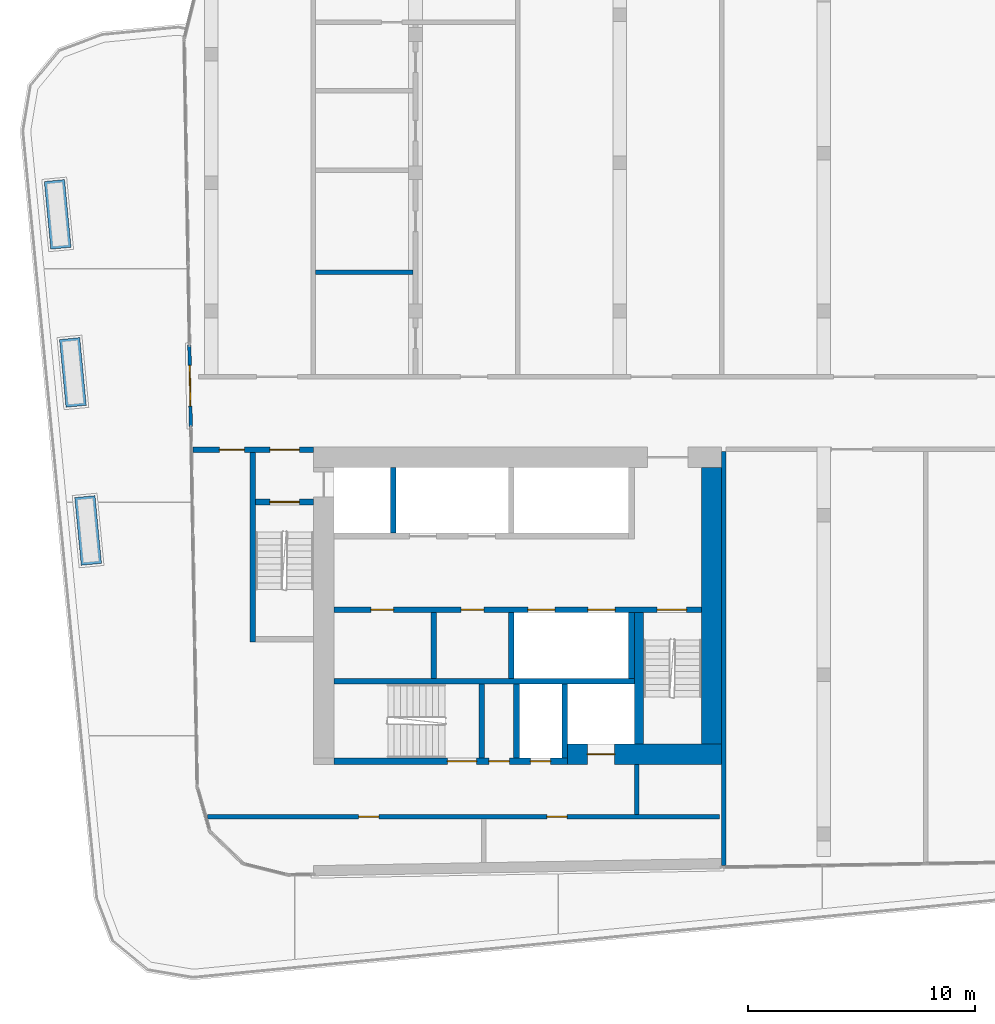
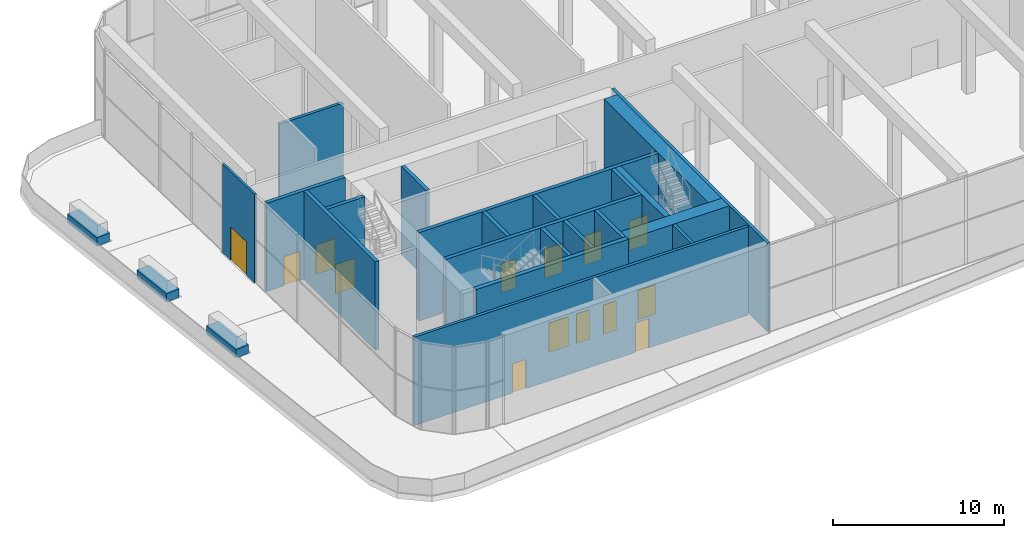
# One storey, part 12 of 24: 24 walls, 15 doors, 15 openings.
"""IFC4 building model written with IfcOpenShell, lengths in metres."""

from ifc_helpers import new_model, si_unit, direction, frame, frame_2d, origin, place, context, subcontext, project, spatial, rectangle, extrude, material, layer, layer_set, type_object, element, fill, save


model = new_model("IFC4")

# Units and contexts
model_context = context("Model", 3, precision=1e-05, world=origin(), true_north=direction((0.0, 1.0)))
body_context = subcontext(model_context, "Body", "Model", "MODEL_VIEW")
ifc_project = project(units=[si_unit("LENGTHUNIT", "METRE"), si_unit("AREAUNIT", "SQUARE_METRE"), si_unit("VOLUMEUNIT", "CUBIC_METRE"), si_unit("PLANEANGLEUNIT", "RADIAN"), si_unit("MASSUNIT", "GRAM", prefix="KILO")], contexts=[model_context])

# Site, building, storey
site_placement = place(None, origin())
site = spatial("IfcSite", under=ifc_project, at=site_placement, CompositionType="ELEMENT")
building_placement = place(site_placement, origin())
building = spatial("IfcBuilding", under=site, at=building_placement, Name="Kajstack Hotel Tower", CompositionType="ELEMENT")
storey_placement = place(building_placement, frame((0.0, 0.0, 211.10009765625)))
storey = spatial("IfcBuildingStorey", under=building, at=storey_placement, Name="L51", CompositionType="ELEMENT", Elevation=211.10009765625)

# Wall, opening, door
ifc_material_1 = material(Name="Concrete C60/75", Category="concrete")
ifc_layer_1 = layer(ifc_material_1, 0.89990234375)
ifc_layer_set_1 = layer_set([ifc_layer_1], Name="Core wall 900")
wall_type_1 = type_object("IfcWallType", Name="Core wall 900", PredefinedType="SHEAR", material=ifc_layer_set_1)
wall_1_placement = place(storey_placement, frame((-20.300048828125, -15.050048828125, 0.0), z_axis=(0.0, 0.0, 1.0), x_axis=(1.0, 0.0, 0.0)))
wall_1 = element("IfcWall", 1, at=wall_1_placement, inside=storey, type_object=wall_type_1, Name="Core wall W RS", PredefinedType="SHEAR", context=body_context, shape_type="SweptSolid", body=[
    extrude(rectangle(XDim=6.800048828125, YDim=0.89990234375, at=frame_2d((3.39990234375, 0.0))), origin(), (0.0, 0.0, 1.0), 6.31982421875),
])
opening_1_placement = place(wall_1_placement, frame((0.875, 0.0, 0.0)))
opening_1 = element("IfcOpeningElement", 2, at=opening_1_placement, cuts=wall_1, Name="Opening LD-SV1", PredefinedType="OPENING", context=body_context, shape_type="SweptSolid", body=[
    extrude(rectangle(XDim=1.199951171875, YDim=2.10009765625, at=frame_2d((0.60009765625, 1.050048828125))), frame((0.0, 0.4599609375, 0.0), z_axis=(0.0, -1.0, 0.0), x_axis=(1.0, 0.0, 0.0)), (0.0, 0.0, 1.0), 0.919921875),
])
ifc_material_2 = material(Name="Stainless steel", Category="steel")
door_type_1 = type_object("IfcDoorType", Name="Lift landing door 1200", OperationType="SLIDING_TO_LEFT", PredefinedType="DOOR", material=ifc_material_2)
door_1_placement = place(opening_1_placement, origin())
door_1 = element("IfcDoor", 3, at=door_1_placement, inside=storey, type_object=door_type_1, Name="Landing door SV1", OperationType="SLIDING_TO_LEFT", OverallHeight=2.10009765625, OverallWidth=1.199951171875, PredefinedType="DOOR", context=body_context, shape_type="SweptSolid", body=[
    extrude(rectangle(XDim=1.199951171875, YDim=2.10009765625, at=frame_2d((0.60009765625, 1.050048828125))), frame((0.0, 0.02490234375, 0.0), z_axis=(0.0, -1.0, 0.0), x_axis=(1.0, 0.0, 0.0)), (0.0, 0.0, 1.0), 0.050048828125),
])
fill(opening_1, door_1)

# Wall
wall_2_placement = place(storey_placement, frame((-13.949951171875, -14.60009765625, 0.0), z_axis=(0.0, 0.0, 1.0), x_axis=(0.0, 1.0, 0.0)))
element("IfcWall", 4, at=wall_2_placement, inside=storey, type_object=wall_type_1, Name="Core wall W RE", PredefinedType="SHEAR", context=body_context, shape_type="SweptSolid", body=[
    extrude(rectangle(XDim=12.2001953125, YDim=0.89990234375, at=frame_2d((6.10009765625, 0.0))), origin(), (0.0, 0.0, 1.0), 6.31982421875),
])

# Wall, opening, door
ifc_material_3 = material(Name="Aluminium", Category="aluminium")
ifc_layer_2 = layer(ifc_material_3, 0.14990234375)
ifc_layer_set_2 = layer_set([ifc_layer_2], Name="EW-FRAME")
wall_type_2 = type_object("IfcWallType", Name="EW-FRAME", PredefinedType="SOLIDWALL", material=ifc_layer_set_2)
wall_3_placement = place(storey_placement, frame((-36.97119140625, 3.0009765625, 0.0), z_axis=(0.0, 0.0, 1.0), x_axis=(0.017429353659, -0.999848097278, 0.0)))
wall_3 = element("IfcWall", 5, at=wall_3_placement, inside=storey, type_object=wall_type_2, Name="E-wall-L51-00-01", PredefinedType="SOLIDWALL", context=body_context, shape_type="SweptSolid", body=[
    extrude(rectangle(XDim=3.599853515625, YDim=0.14990234375, at=frame_2d((1.7998046875, 0.0))), origin(), (0.0, 0.0, 1.0), 6.31982421875),
])
opening_2_placement = place(wall_3_placement, frame((0.89990234375, 0.0, 0.0)))
opening_2 = element("IfcOpeningElement", 6, at=opening_2_placement, cuts=wall_3, Name="Opening TD1", PredefinedType="OPENING", context=body_context, shape_type="SweptSolid", body=[
    extrude(rectangle(XDim=1.800048828125, YDim=2.39990234375, at=frame_2d((0.89990234375, 1.199951171875))), frame((0.0, 0.0849609375, 0.0), z_axis=(0.0, -1.0, 0.0), x_axis=(1.0, 0.0, 0.0)), (0.0, 0.0, 1.0), 0.169921875),
])
ifc_material_4 = material(Name="Timber-aluminium door", Category="wood")
door_type_2 = type_object("IfcDoorType", Name="DOOR-TERRACE", OperationType="DOUBLE_DOOR_SINGLE_SWING", PredefinedType="DOOR", material=ifc_material_4)
door_2_placement = place(opening_2_placement, origin())
door_2 = element("IfcDoor", 7, at=door_2_placement, inside=storey, type_object=door_type_2, Name="Terrace door L51-00", OperationType="SINGLE_SWING_LEFT", OverallHeight=2.39990234375, OverallWidth=1.800048828125, PredefinedType="DOOR", context=body_context, shape_type="SweptSolid", body=[
    extrude(rectangle(XDim=1.800048828125, YDim=2.39990234375, at=frame_2d((0.89990234375, 1.199951171875))), frame((0.0, 0.02490234375, 0.0), z_axis=(0.0, -1.0, 0.0), x_axis=(1.0, 0.0, 0.0)), (0.0, 0.0, 1.0), 0.050048828125),
])
fill(opening_2, door_2)

# Walls
ifc_material_5 = material(Name="Concrete C50/60", Category="concrete")
ifc_layer_3 = layer(ifc_material_5, 0.300048828125)
ifc_layer_set_3 = layer_set([ifc_layer_3], Name="Hoistway divider wall 300")
wall_type_3 = type_object("IfcWallType", Name="Hoistway divider wall 300", PredefinedType="SHEAR", material=ifc_layer_set_3)
wall_4_placement = place(storey_placement, frame((-22.77490234375, -11.699951171875, 0.0), z_axis=(0.0, 0.0, 1.0), x_axis=(0.0, 1.0, 0.0)))
element("IfcWall", 8, at=wall_4_placement, inside=storey, type_object=wall_type_3, Name="Core wall W BP2", PredefinedType="SHEAR", context=body_context, shape_type="SweptSolid", body=[
    extrude(rectangle(XDim=2.89990234375, YDim=0.25, at=frame_2d((1.449951171875, 0.0))), origin(), (0.0, 0.0, 1.0), 6.31982421875),
])
ifc_material_6 = material(Name="Concrete C30/37", Category="concrete")
ifc_layer_4 = layer(ifc_material_6, 0.89990234375)
ifc_layer_set_4 = layer_set([ifc_layer_4], Name="PLANTER-WALL")
wall_type_4 = type_object("IfcWallType", Name="PLANTER-WALL", PredefinedType="SOLIDWALL", material=ifc_layer_set_4)
for number, where, z_axis, x_axis, name in (
    (9, (-41.291748046875, -6.671142578125, 0.0), (0.0, 0.0, 1.0), (-0.095861262448, 0.995394704809, 0.0), "PLANTER L51-01-01"),
    (10, (-41.962646484375, 0.296630859375, 0.0), (0.0, 0.0, 1.0), (-0.095861262448, 0.995394704809, 0.0), "PLANTER L51-01-02"),
    (11, (-42.633544921875, 7.264404296875, 0.0), (0.0, 0.0, 1.0), (-0.095861262448, 0.995394704809, 0.0), "PLANTER L51-01-03"),
):
    element("IfcWall", number, at=place(storey_placement, frame(where, z_axis=z_axis, x_axis=x_axis)), inside=storey, type_object=wall_type_4, Name=name, PredefinedType="SOLIDWALL", context=body_context, shape_type="SweptSolid", body=[
        extrude(rectangle(XDim=3.000244140625, YDim=0.89990234375, at=frame_2d((1.5, 0.0))), origin(), (0.0, 0.0, 1.0), 0.599853515625),
    ])
ifc_material_7 = material(Name="Gypsum board on steel studs, mineral wool", Category="steel")
ifc_layer_5 = layer(ifc_material_7, 0.199951171875)
ifc_layer_set_5 = layer_set([ifc_layer_5], Name="Public partition 200")
wall_type_5 = type_object("IfcWallType", Name="Public partition 200", PredefinedType="PARTITIONING", material=ifc_layer_set_5)
wall_5_placement = place(storey_placement, frame((-31.39990234375, 6.199951171875, 0.0), z_axis=(0.0, 0.0, 1.0), x_axis=(1.0, 0.0, 0.0)))
element("IfcWall", 12, at=wall_5_placement, inside=storey, type_object=wall_type_5, Name="Partition C3wP0", PredefinedType="PARTITIONING", context=body_context, shape_type="SweptSolid", body=[
    extrude(rectangle(XDim=4.2998046875, YDim=0.199951171875, at=frame_2d((2.14990234375, 0.0))), origin(), (0.0, 0.0, 1.0), 5.31982421875),
])
wall_6_placement = place(storey_placement, frame((-13.39990234375, -19.939453125, 0.0), z_axis=(0.0, 0.0, 1.0), x_axis=(0.0, 1.0, 0.0)))
element("IfcWall", 13, at=wall_6_placement, inside=storey, type_object=wall_type_5, Name="Partition SEW", PredefinedType="PARTITIONING", context=body_context, shape_type="SweptSolid", body=[
    extrude(rectangle(XDim=18.239501953125, YDim=0.199951171875, at=frame_2d((9.11962890625, 0.0))), origin(), (0.0, 0.0, 1.0), 6.31982421875),
])
ifc_material_8 = material(Name="Concrete block masonry", Category="masonry")
ifc_layer_6 = layer(ifc_material_8, 0.25)
ifc_layer_set_6 = layer_set([ifc_layer_6], Name="Riser partition 250")
wall_type_6 = type_object("IfcWallType", Name="Riser partition 250", PredefinedType="PARTITIONING", material=ifc_layer_set_6)
wall_7_placement = place(storey_placement, frame((-26.199951171875, -11.699951171875, 0.0), z_axis=(0.0, 0.0, 1.0), x_axis=(0.0, 1.0, 0.0)))
element("IfcWall", 14, at=wall_7_placement, inside=storey, type_object=wall_type_6, Name="Partition W BF0", PredefinedType="PARTITIONING", context=body_context, shape_type="SweptSolid", body=[
    extrude(rectangle(XDim=2.89990234375, YDim=0.25, at=frame_2d((1.449951171875, 0.0))), origin(), (0.0, 0.0, 1.0), 6.31982421875),
])
wall_8_placement = place(storey_placement, frame((-22.550048828125, -15.199951171875, 0.0), z_axis=(0.0, 0.0, 1.0), x_axis=(0.0, 1.0, 0.0)))
element("IfcWall", 15, at=wall_8_placement, inside=storey, type_object=wall_type_6, Name="Partition W SZ0", PredefinedType="PARTITIONING", context=body_context, shape_type="SweptSolid", body=[
    extrude(rectangle(XDim=3.25, YDim=0.25, at=frame_2d((1.625, 0.0))), origin(), (0.0, 0.0, 1.0), 6.31982421875),
])

# Wall, openings, doors
ifc_layer_7 = layer(ifc_material_7, 0.199951171875)
ifc_layer_set_7 = layer_set([ifc_layer_7], Name="Service partition 200")
wall_type_7 = type_object("IfcWallType", Name="Service partition 200", PredefinedType="PARTITIONING", material=ifc_layer_set_7)
wall_9_placement = place(storey_placement, frame((-36.8154296875, -1.625, 0.0), z_axis=(0.0, 0.0, 1.0), x_axis=(1.0, 0.0, 0.0)))
wall_9 = element("IfcWall", 16, at=wall_9_placement, inside=storey, type_object=wall_type_7, Name="Partition W SN", PredefinedType="PARTITIONING", context=body_context, shape_type="SweptSolid", body=[
    extrude(rectangle(XDim=5.3154296875, YDim=0.25, at=frame_2d((2.65771484375, 0.0))), origin(), (0.0, 0.0, 1.0), 6.31982421875),
])
opening_3_placement = place(wall_9_placement, frame((3.390380859375, 0.0, 0.0)))
opening_3 = element("IfcOpeningElement", 17, at=opening_3_placement, cuts=wall_9, Name="Opening 51W08", PredefinedType="OPENING", context=body_context, shape_type="SweptSolid", body=[
    extrude(rectangle(XDim=1.300048828125, YDim=2.10009765625, at=frame_2d((0.64990234375, 1.050048828125))), frame((0.0, 0.135009765625, 0.0), z_axis=(0.0, -1.0, 0.0), x_axis=(1.0, 0.0, 0.0)), (0.0, 0.0, 1.0), 0.27001953125),
])
opening_4_placement = place(wall_9_placement, frame((1.16552734375, 0.0, 0.0)))
opening_4 = element("IfcOpeningElement", 18, at=opening_4_placement, cuts=wall_9, Name="Opening 51W10", PredefinedType="OPENING", context=body_context, shape_type="SweptSolid", body=[
    extrude(rectangle(XDim=1.10009765625, YDim=2.10009765625, at=frame_2d((0.550048828125, 1.050048828125))), frame((0.0, 0.135009765625, 0.0), z_axis=(0.0, -1.0, 0.0), x_axis=(1.0, 0.0, 0.0)), (0.0, 0.0, 1.0), 0.27001953125),
])
ifc_material_9 = material(Name="Steel leaf, fire-rated", Category="steel")
door_type_3 = type_object("IfcDoorType", Name="Fire lobby door 1300", OperationType="SINGLE_SWING_LEFT", PredefinedType="DOOR", material=ifc_material_9)
door_3_placement = place(opening_3_placement, origin())
door_3 = element("IfcDoor", 19, at=door_3_placement, inside=storey, type_object=door_type_3, Name="Door 51W08", OperationType="SINGLE_SWING_RIGHT", OverallHeight=2.10009765625, OverallWidth=1.300048828125, PredefinedType="DOOR", context=body_context, shape_type="SweptSolid", body=[
    extrude(rectangle(XDim=1.300048828125, YDim=2.10009765625, at=frame_2d((0.64990234375, 1.050048828125))), frame((0.0, 0.02490234375, 0.0), z_axis=(0.0, -1.0, 0.0), x_axis=(1.0, 0.0, 0.0)), (0.0, 0.0, 1.0), 0.050048828125),
])
fill(opening_3, door_3)
ifc_material_10 = material(Name="Timber leaf, fire-rated", Category="wood")
door_type_4 = type_object("IfcDoorType", Name="Service corridor door 1100", OperationType="SINGLE_SWING_LEFT", PredefinedType="DOOR", material=ifc_material_10)
door_4_placement = place(opening_4_placement, origin())
door_4 = element("IfcDoor", 20, at=door_4_placement, inside=storey, type_object=door_type_4, Name="Door 51W10", OperationType="SINGLE_SWING_RIGHT", OverallHeight=2.10009765625, OverallWidth=1.10009765625, PredefinedType="DOOR", context=body_context, shape_type="SweptSolid", body=[
    extrude(rectangle(XDim=1.10009765625, YDim=2.10009765625, at=frame_2d((0.550048828125, 1.050048828125))), frame((0.0, 0.02490234375, 0.0), z_axis=(0.0, -1.0, 0.0), x_axis=(1.0, 0.0, 0.0)), (0.0, 0.0, 1.0), 0.050048828125),
])
fill(opening_4, door_4)

# Wall
wall_10_placement = place(storey_placement, frame((-17.25, -17.699951171875, 0.0), z_axis=(0.0, 0.0, 1.0), x_axis=(0.0, 1.0, 0.0)))
element("IfcWall", 21, at=wall_10_placement, inside=storey, type_object=wall_type_7, Name="Partition W SCE", PredefinedType="PARTITIONING", context=body_context, shape_type="SweptSolid", body=[
    extrude(rectangle(XDim=2.199951171875, YDim=0.199951171875, at=frame_2d((1.10009765625, 0.0))), origin(), (0.0, 0.0, 1.0), 6.31982421875),
])

# Wall, openings, doors
wall_11_placement = place(storey_placement, frame((-36.17578125, -17.800048828125, 0.0), z_axis=(0.0, 0.0, 1.0), x_axis=(1.0, 0.0, 0.0)))
wall_11 = element("IfcWall", 22, at=wall_11_placement, inside=storey, type_object=wall_type_7, Name="Partition W SLN", PredefinedType="PARTITIONING", context=body_context, shape_type="SweptSolid", body=[
    extrude(rectangle(XDim=22.57568359375, YDim=0.199951171875, at=frame_2d((11.287841796875, 0.0))), origin(), (0.0, 0.0, 1.0), 6.31982421875),
])
opening_5_placement = place(wall_11_placement, frame((6.663330078125, 0.0, 0.0)))
opening_5 = element("IfcOpeningElement", 23, at=opening_5_placement, cuts=wall_11, Name="Opening 51W17", PredefinedType="OPENING", context=body_context, shape_type="SweptSolid", body=[
    extrude(rectangle(XDim=0.89990234375, YDim=2.10009765625, at=frame_2d((0.449951171875, 1.050048828125))), frame((0.0, 0.10986328125, 0.0), z_axis=(0.0, -1.0, 0.0), x_axis=(1.0, 0.0, 0.0)), (0.0, 0.0, 1.0), 0.219970703125),
])
opening_6_placement = place(wall_11_placement, frame((14.96337890625, 0.0, 0.0)))
opening_6 = element("IfcOpeningElement", 24, at=opening_6_placement, cuts=wall_11, Name="Opening 51W18", PredefinedType="OPENING", context=body_context, shape_type="SweptSolid", body=[
    extrude(rectangle(XDim=0.89990234375, YDim=2.10009765625, at=frame_2d((0.449951171875, 1.050048828125))), frame((0.0, 0.10986328125, 0.0), z_axis=(0.0, -1.0, 0.0), x_axis=(1.0, 0.0, 0.0)), (0.0, 0.0, 1.0), 0.219970703125),
])
door_type_5 = type_object("IfcDoorType", Name="Service door 900", OperationType="SINGLE_SWING_LEFT", PredefinedType="DOOR", material=ifc_material_10)
door_5_placement = place(opening_5_placement, origin())
door_5 = element("IfcDoor", 25, at=door_5_placement, inside=storey, type_object=door_type_5, Name="Door 51W17", OperationType="SINGLE_SWING_RIGHT", OverallHeight=2.10009765625, OverallWidth=0.89990234375, PredefinedType="DOOR", context=body_context, shape_type="SweptSolid", body=[
    extrude(rectangle(XDim=0.89990234375, YDim=2.10009765625, at=frame_2d((0.449951171875, 1.050048828125))), frame((0.0, 0.02490234375, 0.0), z_axis=(0.0, -1.0, 0.0), x_axis=(1.0, 0.0, 0.0)), (0.0, 0.0, 1.0), 0.050048828125),
])
fill(opening_5, door_5)
door_6_placement = place(opening_6_placement, origin())
door_6 = element("IfcDoor", 26, at=door_6_placement, inside=storey, type_object=door_type_5, Name="Door 51W18", OperationType="SINGLE_SWING_RIGHT", OverallHeight=2.10009765625, OverallWidth=0.89990234375, PredefinedType="DOOR", context=body_context, shape_type="SweptSolid", body=[
    extrude(rectangle(XDim=0.89990234375, YDim=2.10009765625, at=frame_2d((0.449951171875, 1.050048828125))), frame((0.0, 0.02490234375, 0.0), z_axis=(0.0, -1.0, 0.0), x_axis=(1.0, 0.0, 0.0)), (0.0, 0.0, 1.0), 0.050048828125),
])
fill(opening_6, door_6)

ifc_layer_8 = layer(ifc_material_5, 0.25)
ifc_layer_set_8 = layer_set([ifc_layer_8], Name="Shaft wall 250")
wall_type_8 = type_object("IfcWallType", Name="Shaft wall 250", PredefinedType="SHEAR", material=ifc_layer_set_8)
wall_12_placement = place(storey_placement, frame((-30.60009765625, -15.35009765625, 0.0), z_axis=(0.0, 0.0, 1.0), x_axis=(1.0, 0.0, 0.0)))
wall_12 = element("IfcWall", 27, at=wall_12_placement, inside=storey, type_object=wall_type_8, Name="Core wall W RSS", PredefinedType="SHEAR", context=body_context, shape_type="SweptSolid", body=[
    extrude(rectangle(XDim=10.300048828125, YDim=0.300048828125, at=frame_2d((5.14990234375, 0.0))), origin(), (0.0, 0.0, 1.0), 6.31982421875),
])
opening_7_placement = place(wall_12_placement, frame((5.0, 0.0, 0.0)))
opening_7 = element("IfcOpeningElement", 28, at=opening_7_placement, cuts=wall_12, Name="Opening 51W12", PredefinedType="OPENING", context=body_context, shape_type="SweptSolid", body=[
    extrude(rectangle(XDim=1.300048828125, YDim=2.10009765625, at=frame_2d((0.64990234375, 1.050048828125))), frame((0.0, 0.159912109375, 0.0), z_axis=(0.0, -1.0, 0.0), x_axis=(1.0, 0.0, 0.0)), (0.0, 0.0, 1.0), 0.320068359375),
])
opening_8_placement = place(wall_12_placement, frame((6.83740234375, 0.0, 0.0)))
opening_8 = element("IfcOpeningElement", 29, at=opening_8_placement, cuts=wall_12, Name="Opening 51W13", PredefinedType="OPENING", context=body_context, shape_type="SweptSolid", body=[
    extrude(rectangle(XDim=0.89990234375, YDim=2.10009765625, at=frame_2d((0.449951171875, 1.050048828125))), frame((0.0, 0.159912109375, 0.0), z_axis=(0.0, -1.0, 0.0), x_axis=(1.0, 0.0, 0.0)), (0.0, 0.0, 1.0), 0.320068359375),
])
opening_9_placement = place(wall_12_placement, frame((8.66259765625, 0.0, 0.0)))
opening_9 = element("IfcOpeningElement", 30, at=opening_9_placement, cuts=wall_12, Name="Opening 51W14", PredefinedType="OPENING", context=body_context, shape_type="SweptSolid", body=[
    extrude(rectangle(XDim=0.89990234375, YDim=2.10009765625, at=frame_2d((0.449951171875, 1.050048828125))), frame((0.0, 0.159912109375, 0.0), z_axis=(0.0, -1.0, 0.0), x_axis=(1.0, 0.0, 0.0)), (0.0, 0.0, 1.0), 0.320068359375),
])
door_type_6 = type_object("IfcDoorType", Name="Riser door 900", OperationType="SINGLE_SWING_LEFT", PredefinedType="DOOR", material=ifc_material_9)
door_7_placement = place(opening_9_placement, origin())
door_7 = element("IfcDoor", 31, at=door_7_placement, inside=storey, type_object=door_type_6, Name="Door 51W14", OperationType="SINGLE_SWING_LEFT", OverallHeight=2.10009765625, OverallWidth=0.89990234375, PredefinedType="DOOR", context=body_context, shape_type="SweptSolid", body=[
    extrude(rectangle(XDim=0.89990234375, YDim=2.10009765625, at=frame_2d((0.449951171875, 1.050048828125))), frame((0.0, 0.02490234375, 0.0), z_axis=(0.0, -1.0, 0.0), x_axis=(1.0, 0.0, 0.0)), (0.0, 0.0, 1.0), 0.050048828125),
])
fill(opening_9, door_7)
door_8_placement = place(opening_8_placement, origin())
door_8 = element("IfcDoor", 32, at=door_8_placement, inside=storey, type_object=door_type_5, Name="Door 51W13", OperationType="SINGLE_SWING_LEFT", OverallHeight=2.10009765625, OverallWidth=0.89990234375, PredefinedType="DOOR", context=body_context, shape_type="SweptSolid", body=[
    extrude(rectangle(XDim=0.89990234375, YDim=2.10009765625, at=frame_2d((0.449951171875, 1.050048828125))), frame((0.0, 0.02490234375, 0.0), z_axis=(0.0, -1.0, 0.0), x_axis=(1.0, 0.0, 0.0)), (0.0, 0.0, 1.0), 0.050048828125),
])
fill(opening_8, door_8)
door_type_7 = type_object("IfcDoorType", Name="Stair door 1300", OperationType="SINGLE_SWING_LEFT", PredefinedType="DOOR", material=ifc_material_9)
door_9_placement = place(opening_7_placement, origin())
door_9 = element("IfcDoor", 33, at=door_9_placement, inside=storey, type_object=door_type_7, Name="Door 51W12", OperationType="SINGLE_SWING_RIGHT", OverallHeight=2.10009765625, OverallWidth=1.300048828125, PredefinedType="DOOR", context=body_context, shape_type="SweptSolid", body=[
    extrude(rectangle(XDim=1.300048828125, YDim=2.10009765625, at=frame_2d((0.64990234375, 1.050048828125))), frame((0.0, 0.02490234375, 0.0), z_axis=(0.0, -1.0, 0.0), x_axis=(1.0, 0.0, 0.0)), (0.0, 0.0, 1.0), 0.050048828125),
])
fill(opening_7, door_9)

# Wall
wall_13_placement = place(storey_placement, frame((-27.97509765625, -5.300048828125, 0.0), z_axis=(0.0, 0.0, 1.0), x_axis=(0.0, 1.0, 0.0)))
element("IfcWall", 34, at=wall_13_placement, inside=storey, type_object=wall_type_8, Name="Core wall W AP0", PredefinedType="SHEAR", context=body_context, shape_type="SweptSolid", body=[
    extrude(rectangle(XDim=2.900146484375, YDim=0.25, at=frame_2d((1.4501953125, 0.0))), origin(), (0.0, 0.0, 1.0), 6.31982421875),
])

# Wall, openings, doors
wall_14_placement = place(storey_placement, frame((-30.60009765625, -8.675048828125, 0.0), z_axis=(0.0, 0.0, 1.0), x_axis=(1.0, 0.0, 0.0)))
wall_14 = element("IfcWall", 35, at=wall_14_placement, inside=storey, type_object=wall_type_8, Name="Core wall W FB", PredefinedType="SHEAR", context=body_context, shape_type="SweptSolid", body=[
    extrude(rectangle(XDim=16.2001953125, YDim=0.25, at=frame_2d((8.10009765625, 0.0))), origin(), (0.0, 0.0, 1.0), 6.31982421875),
])
opening_10_placement = place(wall_14_placement, frame((8.550048828125, 0.0, 0.0)))
opening_10 = element("IfcOpeningElement", 36, at=opening_10_placement, cuts=wall_14, Name="Opening LD-MR1", PredefinedType="OPENING", context=body_context, shape_type="SweptSolid", body=[
    extrude(rectangle(XDim=1.199951171875, YDim=2.10009765625, at=frame_2d((0.60009765625, 1.050048828125))), frame((0.0, 0.135009765625, 0.0), z_axis=(0.0, -1.0, 0.0), x_axis=(1.0, 0.0, 0.0)), (0.0, 0.0, 1.0), 0.27001953125),
])
opening_11_placement = place(wall_14_placement, frame((11.199951171875, 0.0, 0.0)))
opening_11 = element("IfcOpeningElement", 37, at=opening_11_placement, cuts=wall_14, Name="Opening LD-MR2", PredefinedType="OPENING", context=body_context, shape_type="SweptSolid", body=[
    extrude(rectangle(XDim=1.199951171875, YDim=2.10009765625, at=frame_2d((0.60009765625, 1.050048828125))), frame((0.0, 0.135009765625, 0.0), z_axis=(0.0, -1.0, 0.0), x_axis=(1.0, 0.0, 0.0)), (0.0, 0.0, 1.0), 0.27001953125),
])
opening_12_placement = place(wall_14_placement, frame((14.25, 0.0, 0.0)))
opening_12 = element("IfcOpeningElement", 38, at=opening_12_placement, cuts=wall_14, Name="Opening 51W11", PredefinedType="OPENING", context=body_context, shape_type="SweptSolid", body=[
    extrude(rectangle(XDim=1.300048828125, YDim=2.10009765625, at=frame_2d((0.64990234375, 1.050048828125))), frame((0.0, 0.135009765625, 0.0), z_axis=(0.0, -1.0, 0.0), x_axis=(1.0, 0.0, 0.0)), (0.0, 0.0, 1.0), 0.27001953125),
])
opening_13_placement = place(wall_14_placement, frame((1.637451171875, 0.0, 0.0)))
opening_13 = element("IfcOpeningElement", 39, at=opening_13_placement, cuts=wall_14, Name="Opening 51W15", PredefinedType="OPENING", context=body_context, shape_type="SweptSolid", body=[
    extrude(rectangle(XDim=1.0, YDim=2.10009765625, at=frame_2d((0.5, 1.050048828125))), frame((0.0, 0.135009765625, 0.0), z_axis=(0.0, -1.0, 0.0), x_axis=(1.0, 0.0, 0.0)), (0.0, 0.0, 1.0), 0.27001953125),
])
opening_14_placement = place(wall_14_placement, frame((5.612548828125, 0.0, 0.0)))
opening_14 = element("IfcOpeningElement", 40, at=opening_14_placement, cuts=wall_14, Name="Opening 51W16", PredefinedType="OPENING", context=body_context, shape_type="SweptSolid", body=[
    extrude(rectangle(XDim=1.0, YDim=2.10009765625, at=frame_2d((0.5, 1.050048828125))), frame((0.0, 0.135009765625, 0.0), z_axis=(0.0, -1.0, 0.0), x_axis=(1.0, 0.0, 0.0)), (0.0, 0.0, 1.0), 0.27001953125),
])
door_10_placement = place(opening_10_placement, origin())
door_10 = element("IfcDoor", 41, at=door_10_placement, inside=storey, type_object=door_type_1, Name="Landing door MR1", OperationType="SLIDING_TO_LEFT", OverallHeight=2.10009765625, OverallWidth=1.199951171875, PredefinedType="DOOR", context=body_context, shape_type="SweptSolid", body=[
    extrude(rectangle(XDim=1.199951171875, YDim=2.10009765625, at=frame_2d((0.60009765625, 1.050048828125))), frame((0.0, 0.02490234375, 0.0), z_axis=(0.0, -1.0, 0.0), x_axis=(1.0, 0.0, 0.0)), (0.0, 0.0, 1.0), 0.050048828125),
])
fill(opening_10, door_10)
door_11_placement = place(opening_11_placement, origin())
door_11 = element("IfcDoor", 42, at=door_11_placement, inside=storey, type_object=door_type_1, Name="Landing door MR2", OperationType="SLIDING_TO_RIGHT", OverallHeight=2.10009765625, OverallWidth=1.199951171875, PredefinedType="DOOR", context=body_context, shape_type="SweptSolid", body=[
    extrude(rectangle(XDim=1.199951171875, YDim=2.10009765625, at=frame_2d((0.60009765625, 1.050048828125))), frame((0.0, 0.02490234375, 0.0), z_axis=(0.0, -1.0, 0.0), x_axis=(1.0, 0.0, 0.0)), (0.0, 0.0, 1.0), 0.050048828125),
])
fill(opening_11, door_11)
door_type_8 = type_object("IfcDoorType", Name="Service room door 1000", OperationType="SINGLE_SWING_LEFT", PredefinedType="DOOR", material=ifc_material_10)
door_12_placement = place(opening_13_placement, origin())
door_12 = element("IfcDoor", 43, at=door_12_placement, inside=storey, type_object=door_type_8, Name="Door 51W15", OperationType="SINGLE_SWING_RIGHT", OverallHeight=2.10009765625, OverallWidth=1.0, PredefinedType="DOOR", context=body_context, shape_type="SweptSolid", body=[
    extrude(rectangle(XDim=1.0, YDim=2.10009765625, at=frame_2d((0.5, 1.050048828125))), frame((0.0, 0.02490234375, 0.0), z_axis=(0.0, -1.0, 0.0), x_axis=(1.0, 0.0, 0.0)), (0.0, 0.0, 1.0), 0.050048828125),
])
fill(opening_13, door_12)
door_13_placement = place(opening_14_placement, origin())
door_13 = element("IfcDoor", 44, at=door_13_placement, inside=storey, type_object=door_type_8, Name="Door 51W16", OperationType="SINGLE_SWING_RIGHT", OverallHeight=2.10009765625, OverallWidth=1.0, PredefinedType="DOOR", context=body_context, shape_type="SweptSolid", body=[
    extrude(rectangle(XDim=1.0, YDim=2.10009765625, at=frame_2d((0.5, 1.050048828125))), frame((0.0, 0.02490234375, 0.0), z_axis=(0.0, -1.0, 0.0), x_axis=(1.0, 0.0, 0.0)), (0.0, 0.0, 1.0), 0.050048828125),
])
fill(opening_14, door_13)
door_14_placement = place(opening_12_placement, origin())
door_14 = element("IfcDoor", 45, at=door_14_placement, inside=storey, type_object=door_type_7, Name="Door 51W11", OperationType="SINGLE_SWING_RIGHT", OverallHeight=2.10009765625, OverallWidth=1.300048828125, PredefinedType="DOOR", context=body_context, shape_type="SweptSolid", body=[
    extrude(rectangle(XDim=1.300048828125, YDim=2.10009765625, at=frame_2d((0.64990234375, 1.050048828125))), frame((0.0, 0.02490234375, 0.0), z_axis=(0.0, -1.0, 0.0), x_axis=(1.0, 0.0, 0.0)), (0.0, 0.0, 1.0), 0.050048828125),
])
fill(opening_12, door_14)

# Walls
wall_15_placement = place(storey_placement, frame((-30.60009765625, -11.824951171875, 0.0), z_axis=(0.0, 0.0, 1.0), x_axis=(1.0, 0.0, 0.0)))
element("IfcWall", 46, at=wall_15_placement, inside=storey, type_object=wall_type_8, Name="Core wall W RB", PredefinedType="SHEAR", context=body_context, shape_type="SweptSolid", body=[
    extrude(rectangle(XDim=13.25, YDim=0.25, at=frame_2d((6.625, 0.0))), origin(), (0.0, 0.0, 1.0), 6.31982421875),
])
wall_16_placement = place(storey_placement, frame((-17.47509765625, -11.699951171875, 0.0), z_axis=(0.0, 0.0, 1.0), x_axis=(0.0, 1.0, 0.0)))
element("IfcWall", 47, at=wall_16_placement, inside=storey, type_object=wall_type_8, Name="Core wall W BE", PredefinedType="SHEAR", context=body_context, shape_type="SweptSolid", body=[
    extrude(rectangle(XDim=2.89990234375, YDim=0.25, at=frame_2d((1.449951171875, 0.0))), origin(), (0.0, 0.0, 1.0), 6.31982421875),
])
wall_17_placement = place(storey_placement, frame((-20.425048828125, -15.199951171875, 0.0), z_axis=(0.0, 0.0, 1.0), x_axis=(0.0, 1.0, 0.0)))
element("IfcWall", 48, at=wall_17_placement, inside=storey, type_object=wall_type_8, Name="Core wall W SVW", PredefinedType="SHEAR", context=body_context, shape_type="SweptSolid", body=[
    extrude(rectangle(XDim=3.25, YDim=0.25, at=frame_2d((1.625, 0.0))), origin(), (0.0, 0.0, 1.0), 6.31982421875),
])

# Wall, opening, door
ifc_material_11 = material(Name="Concrete C40/50", Category="concrete")
ifc_layer_9 = layer(ifc_material_11, 0.25)
ifc_layer_set_9 = layer_set([ifc_layer_9], Name="Stair enclosure wall 250")
wall_type_9 = type_object("IfcWallType", Name="Stair enclosure wall 250", PredefinedType="SHEAR", material=ifc_layer_set_9)
wall_18_placement = place(storey_placement, frame((-34.050048828125, -3.925048828125, 0.0), z_axis=(0.0, 0.0, 1.0), x_axis=(1.0, 0.0, 0.0)))
wall_18 = element("IfcWall", 49, at=wall_18_placement, inside=storey, type_object=wall_type_9, Name="Core wall W W1N", PredefinedType="SHEAR", context=body_context, shape_type="SweptSolid", body=[
    extrude(rectangle(XDim=2.550048828125, YDim=0.25, at=frame_2d((1.27490234375, 0.0))), origin(), (0.0, 0.0, 1.0), 6.31982421875),
])
opening_15_placement = place(wall_18_placement, frame((0.625, 0.0, 0.0)))
opening_15 = element("IfcOpeningElement", 50, at=opening_15_placement, cuts=wall_18, Name="Opening 51W09", PredefinedType="OPENING", context=body_context, shape_type="SweptSolid", body=[
    extrude(rectangle(XDim=1.300048828125, YDim=2.10009765625, at=frame_2d((0.64990234375, 1.050048828125))), frame((0.0, 0.135009765625, 0.0), z_axis=(0.0, -1.0, 0.0), x_axis=(1.0, 0.0, 0.0)), (0.0, 0.0, 1.0), 0.27001953125),
])
door_15_placement = place(opening_15_placement, origin())
door_15 = element("IfcDoor", 51, at=door_15_placement, inside=storey, type_object=door_type_7, Name="Door 51W09", OperationType="SINGLE_SWING_RIGHT", OverallHeight=2.10009765625, OverallWidth=1.300048828125, PredefinedType="DOOR", context=body_context, shape_type="SweptSolid", body=[
    extrude(rectangle(XDim=1.300048828125, YDim=2.10009765625, at=frame_2d((0.64990234375, 1.050048828125))), frame((0.0, 0.02490234375, 0.0), z_axis=(0.0, -1.0, 0.0), x_axis=(1.0, 0.0, 0.0)), (0.0, 0.0, 1.0), 0.050048828125),
])
fill(opening_15, door_15)

# Walls
wall_19_placement = place(storey_placement, frame((-34.175048828125, -10.10009765625, 0.0), z_axis=(0.0, 0.0, 1.0), x_axis=(0.0, 1.0, 0.0)))
element("IfcWall", 52, at=wall_19_placement, inside=storey, type_object=wall_type_9, Name="Core wall W W1W", PredefinedType="SHEAR", context=body_context, shape_type="SweptSolid", body=[
    extrude(rectangle(XDim=8.35009765625, YDim=0.25, at=frame_2d((4.175048828125, 0.0))), origin(), (0.0, 0.0, 1.0), 6.31982421875),
])
ifc_layer_10 = layer(ifc_material_5, 0.35009765625)
ifc_layer_set_10 = layer_set([ifc_layer_10], Name="Stair enclosure wall 350")
wall_type_10 = type_object("IfcWallType", Name="Stair enclosure wall 350", PredefinedType="SHEAR", material=ifc_layer_set_10)
wall_20_placement = place(storey_placement, frame((-24.074951171875, -15.199951171875, 0.0), z_axis=(0.0, 0.0, 1.0), x_axis=(0.0, 1.0, 0.0)))
element("IfcWall", 53, at=wall_20_placement, inside=storey, type_object=wall_type_10, Name="Core wall W W3E", PredefinedType="SHEAR", context=body_context, shape_type="SweptSolid", body=[
    extrude(rectangle(XDim=3.25, YDim=0.25, at=frame_2d((1.625, 0.0))), origin(), (0.0, 0.0, 1.0), 6.31982421875),
])
ifc_layer_11 = layer(ifc_material_5, 0.39990234375)
ifc_layer_set_11 = layer_set([ifc_layer_11], Name="Stair wall 400")
wall_type_11 = type_object("IfcWallType", Name="Stair wall 400", PredefinedType="SHEAR", material=ifc_layer_set_11)
wall_21_placement = place(storey_placement, frame((-17.14990234375, -14.60009765625, 0.0), z_axis=(0.0, 0.0, 1.0), x_axis=(0.0, 1.0, 0.0)))
element("IfcWall", 54, at=wall_21_placement, inside=storey, type_object=wall_type_11, Name="Core wall W WW2", PredefinedType="SHEAR", context=body_context, shape_type="SweptSolid", body=[
    extrude(rectangle(XDim=5.800048828125, YDim=0.39990234375, at=frame_2d((2.89990234375, 0.0))), origin(), (0.0, 0.0, 1.0), 6.31982421875),
])

save(model, "model.ifc")
